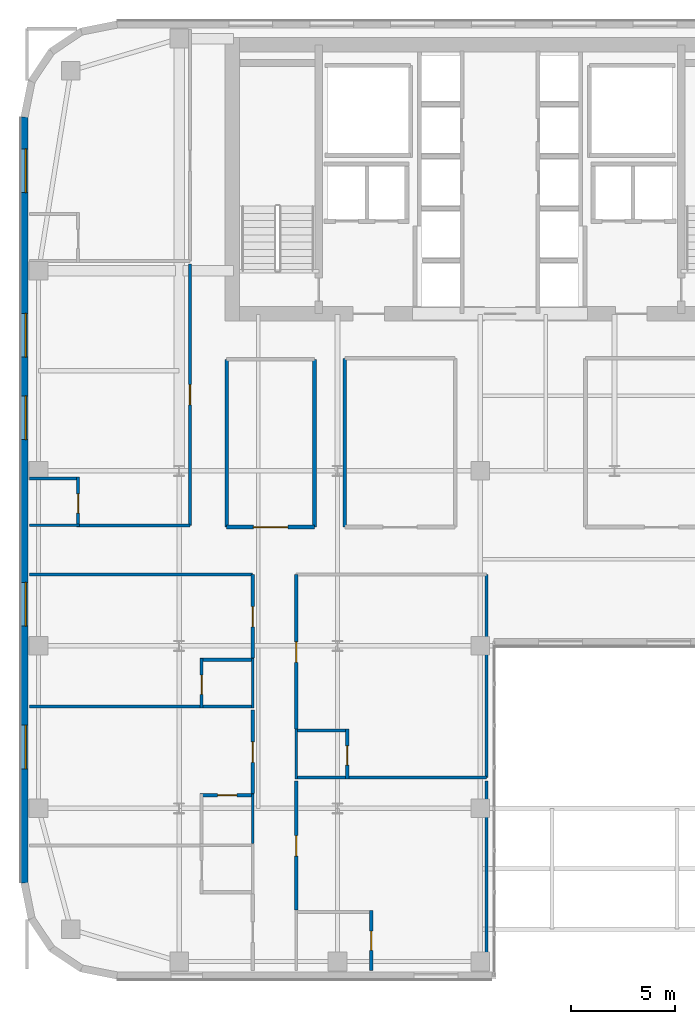
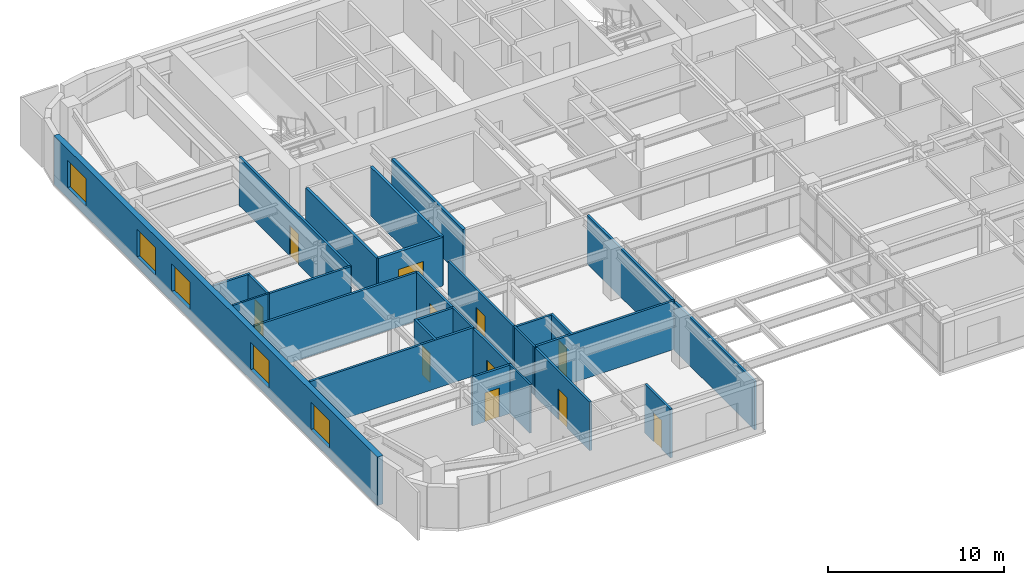
# One storey, part 14 of 24: 28 walls, 11 doors, 5 windows, 16 openings.
"""IFC4 building model written with IfcOpenShell, lengths in metres."""

from ifc_helpers import new_model, si_unit, direction, frame, frame_2d, origin, place, context, subcontext, project, spatial, rectangle, extrude, source, transform, mapped, material, layer, layer_set, type_object, type_shapes, element, fill, save


model = new_model("IFC4")

# Units and contexts
model_context = context("Model", 3, precision=1e-05, world=origin(), true_north=direction((0.0, 1.0)))
body_context = subcontext(model_context, "Body", "Model", "MODEL_VIEW")
ifc_project = project(units=[si_unit("LENGTHUNIT", "METRE"), si_unit("AREAUNIT", "SQUARE_METRE"), si_unit("VOLUMEUNIT", "CUBIC_METRE"), si_unit("PLANEANGLEUNIT", "RADIAN"), si_unit("MASSUNIT", "GRAM", prefix="KILO")], contexts=[model_context])

# Site, building, storey
site_placement = place(None, origin())
site = spatial("IfcSite", under=ifc_project, at=site_placement, CompositionType="ELEMENT")
building_placement = place(site_placement, origin())
building = spatial("IfcBuilding", under=site, at=building_placement, Name="Tolvann Quenvar Hotel", CompositionType="ELEMENT")
storey_placement = place(building_placement, frame((0.0, 0.0, 118.64990234375)))
storey = spatial("IfcBuildingStorey", under=building, at=storey_placement, Name="L30", CompositionType="ELEMENT", Elevation=118.64990234375)

# Wall, openings, windows
ifc_material_1 = material(Name="Kiln-fired red and buff architectural clay brickwork and terracotta masonry", Category="masonry")
ifc_layer_1 = layer(ifc_material_1, 0.35009765625)
ifc_layer_set_1 = layer_set([ifc_layer_1], Name="Kiln-fired red and buff architectural clay brickwork and terracotta masonry")
wall_type_1 = type_object("IfcWallType", Name="WALL_EXT_BRICK_350", PredefinedType="SOLIDWALL", material=ifc_layer_set_1)
wall_1_placement = place(storey_placement, frame((0.175048828125, 41.3828125, 0.0), z_axis=(0.0, 0.0, 1.0), x_axis=(0.0, -1.0, 0.0)))
wall_1 = element("IfcWall", 1, at=wall_1_placement, inside=storey, type_object=wall_type_1, Name="Exterior Chicago Brick Wall L30-E23", PredefinedType="SOLIDWALL", context=body_context, shape_type="SweptSolid", body=[
    extrude(rectangle(XDim=36.765625, YDim=0.35009765625, at=frame_2d((18.3828125, 0.0))), origin(), (0.0, 0.0, 1.0), 3.3701171875),
])
opening_1_placement = place(wall_1_placement, frame((1.52587890625, 0.0, 0.679931640625)))
opening_1 = element("IfcOpeningElement", 2, at=opening_1_placement, cuts=wall_1, Name="Opening W-02", PredefinedType="OPENING", context=body_context, shape_type="SweptSolid", body=[
    extrude(rectangle(XDim=2.10009765625, YDim=1.89990234375, at=frame_2d((1.050048828125, 0.949951171875))), frame((0.0, 0.18505859375, 0.0), z_axis=(0.0, -1.0, 0.0), x_axis=(1.0, 0.0, 0.0)), (0.0, 0.0, 1.0), 0.3701171875),
])
opening_2_placement = place(wall_1_placement, frame((9.428955078125, 0.0, 0.679931640625)))
opening_2 = element("IfcOpeningElement", 3, at=opening_2_placement, cuts=wall_1, Name="Opening W-02", PredefinedType="OPENING", context=body_context, shape_type="SweptSolid", body=[
    extrude(rectangle(XDim=2.10009765625, YDim=1.89990234375, at=frame_2d((1.050048828125, 0.949951171875))), frame((0.0, 0.18505859375, 0.0), z_axis=(0.0, -1.0, 0.0), x_axis=(1.0, 0.0, 0.0)), (0.0, 0.0, 1.0), 0.3701171875),
])
opening_3_placement = place(wall_1_placement, frame((13.381103515625, 0.0, 0.679931640625)))
opening_3 = element("IfcOpeningElement", 4, at=opening_3_placement, cuts=wall_1, Name="Opening W-02", PredefinedType="OPENING", context=body_context, shape_type="SweptSolid", body=[
    extrude(rectangle(XDim=2.10009765625, YDim=1.89990234375, at=frame_2d((1.050048828125, 0.949951171875))), frame((0.0, 0.18505859375, 0.0), z_axis=(0.0, -1.0, 0.0), x_axis=(1.0, 0.0, 0.0)), (0.0, 0.0, 1.0), 0.3701171875),
])
opening_4_placement = place(wall_1_placement, frame((22.3349609375, 0.0, 0.679931640625)))
opening_4 = element("IfcOpeningElement", 5, at=opening_4_placement, cuts=wall_1, Name="Opening W-02", PredefinedType="OPENING", context=body_context, shape_type="SweptSolid", body=[
    extrude(rectangle(XDim=2.10009765625, YDim=1.89990234375, at=frame_2d((1.050048828125, 0.949951171875))), frame((0.0, 0.18505859375, 0.0), z_axis=(0.0, -1.0, 0.0), x_axis=(1.0, 0.0, 0.0)), (0.0, 0.0, 1.0), 0.3701171875),
])
opening_5_placement = place(wall_1_placement, frame((29.18798828125, 0.0, 0.679931640625)))
opening_5 = element("IfcOpeningElement", 6, at=opening_5_placement, cuts=wall_1, Name="Opening W-02", PredefinedType="OPENING", context=body_context, shape_type="SweptSolid", body=[
    extrude(rectangle(XDim=2.10009765625, YDim=1.89990234375, at=frame_2d((1.050048828125, 0.949951171875))), frame((0.0, 0.18505859375, 0.0), z_axis=(0.0, -1.0, 0.0), x_axis=(1.0, 0.0, 0.0)), (0.0, 0.0, 1.0), 0.3701171875),
])
ifc_material_2 = material(Name="Thermally broken bronze-anodised aluminium frame with double low-E glazing", Category="aluminium")
window_type = type_object("IfcWindowType", Name="WIN_CHI_2100x2050", PartitioningType="TRIPLE_PANEL_HORIZONTAL", PredefinedType="WINDOW", material=ifc_material_2)
shared_shape_1 = source(origin(), body_context, "Body", "SweptSolid", [
    extrude(rectangle(XDim=2.10009765625, YDim=1.89990234375, at=frame_2d((1.050048828125, 0.949951171875))), frame((0.0, 0.090087890625, 0.0), z_axis=(0.0, -1.0, 0.0), x_axis=(1.0, 0.0, 0.0)), (0.0, 0.0, 1.0), 0.06005859375),
])
type_shapes(window_type, [shared_shape_1])
window_1_placement = place(opening_1_placement, origin())
window_1 = element("IfcWindow", 7, at=window_1_placement, inside=storey, type_object=window_type, Name="Chicago Window W-02 (EW-L30-E23-W01)", OverallHeight=1.89990234375, OverallWidth=2.10009765625, PartitioningType="TRIPLE_PANEL_HORIZONTAL", PredefinedType="WINDOW", context=body_context, shape_type="MappedRepresentation", body=[
    mapped(shared_shape_1, transform((0.0, 0.0, 0.0), x_axis=(1.0, 0.0, 0.0), y_axis=(0.0, 1.0, 0.0), z_axis=(0.0, 0.0, 1.0), scale=1.0)),
])
fill(opening_1, window_1)
window_2_placement = place(opening_2_placement, origin())
window_2 = element("IfcWindow", 8, at=window_2_placement, inside=storey, type_object=window_type, Name="Chicago Window W-02 (EW-L30-E23-W02)", OverallHeight=1.89990234375, OverallWidth=2.10009765625, PartitioningType="TRIPLE_PANEL_HORIZONTAL", PredefinedType="WINDOW", context=body_context, shape_type="MappedRepresentation", body=[
    mapped(shared_shape_1, transform((0.0, 0.0, 0.0), x_axis=(1.0, 0.0, 0.0), y_axis=(0.0, 1.0, 0.0), z_axis=(0.0, 0.0, 1.0), scale=1.0)),
])
fill(opening_2, window_2)
window_3_placement = place(opening_3_placement, origin())
window_3 = element("IfcWindow", 9, at=window_3_placement, inside=storey, type_object=window_type, Name="Chicago Window W-02 (EW-L30-E23-W03)", OverallHeight=1.89990234375, OverallWidth=2.10009765625, PartitioningType="TRIPLE_PANEL_HORIZONTAL", PredefinedType="WINDOW", context=body_context, shape_type="MappedRepresentation", body=[
    mapped(shared_shape_1, transform((0.0, 0.0, 0.0), x_axis=(1.0, 0.0, 0.0), y_axis=(0.0, 1.0, 0.0), z_axis=(0.0, 0.0, 1.0), scale=1.0)),
])
fill(opening_3, window_3)
window_4_placement = place(opening_4_placement, origin())
window_4 = element("IfcWindow", 10, at=window_4_placement, inside=storey, type_object=window_type, Name="Chicago Window W-02 (EW-L30-E23-W04)", OverallHeight=1.89990234375, OverallWidth=2.10009765625, PartitioningType="TRIPLE_PANEL_HORIZONTAL", PredefinedType="WINDOW", context=body_context, shape_type="MappedRepresentation", body=[
    mapped(shared_shape_1, transform((0.0, 0.0, 0.0), x_axis=(1.0, 0.0, 0.0), y_axis=(0.0, 1.0, 0.0), z_axis=(0.0, 0.0, 1.0), scale=1.0)),
])
fill(opening_4, window_4)
window_5_placement = place(opening_5_placement, origin())
window_5 = element("IfcWindow", 11, at=window_5_placement, inside=storey, type_object=window_type, Name="Chicago Window W-02 (EW-L30-E23-W05)", OverallHeight=1.89990234375, OverallWidth=2.10009765625, PartitioningType="TRIPLE_PANEL_HORIZONTAL", PredefinedType="WINDOW", context=body_context, shape_type="MappedRepresentation", body=[
    mapped(shared_shape_1, transform((0.0, 0.0, 0.0), x_axis=(1.0, 0.0, 0.0), y_axis=(0.0, 1.0, 0.0), z_axis=(0.0, 0.0, 1.0), scale=1.0)),
])
fill(opening_5, window_5)

# Wall, opening, door
ifc_material_3 = material(Name="Acoustic twin-stud fire-rated gypsum plasterboard partition")
ifc_layer_2 = layer(ifc_material_3, 0.179931640625)
ifc_layer_set_2 = layer_set([ifc_layer_2], Name="Acoustic twin-stud fire-rated gypsum plasterboard partition")
wall_type_2 = type_object("IfcWallType", Name="WALL_PART_ACOUSTIC_180", PredefinedType="PARTITIONING", material=ifc_layer_set_2)
wall_2_placement = place(storey_placement, frame((9.8798828125, 21.699951171875, 0.0), z_axis=(0.0, 0.0, 1.0), x_axis=(1.0, 0.0, 0.0)))
wall_2 = element("IfcWall", 12, at=wall_2_placement, inside=storey, type_object=wall_type_2, Name="Interior Partition PT-SPC-L30-MSP-W-S", PredefinedType="PARTITIONING", context=body_context, shape_type="SweptSolid", body=[
    extrude(rectangle(XDim=4.22021484375, YDim=0.179931640625, at=frame_2d((2.110107421875, 0.0))), origin(), (0.0, 0.0, 1.0), 3.3701171875),
])
opening_6_placement = place(wall_2_placement, frame((1.284912109375, 0.0, 0.0)))
opening_6 = element("IfcOpeningElement", 13, at=opening_6_placement, cuts=wall_2, Name="Opening AD-01", PredefinedType="OPENING", context=body_context, shape_type="SweptSolid", body=[
    extrude(rectangle(XDim=1.64990234375, YDim=2.14990234375, at=frame_2d((0.824951171875, 1.074951171875))), frame((0.0, 0.10009765625, 0.0), z_axis=(0.0, -1.0, 0.0), x_axis=(1.0, 0.0, 0.0)), (0.0, 0.0, 1.0), 0.199951171875),
])
ifc_material_4 = material(Name="Solid-core American oak acoustic fire door leaf in steel frame", Category="steel")
door_type_1 = type_object("IfcDoorType", Name="DOOR_SALON_1650", OperationType="NOTDEFINED", PredefinedType="DOOR", material=ifc_material_4)
shared_shape_2 = source(origin(), body_context, "Body", "SweptSolid", [
    extrude(rectangle(XDim=1.64990234375, YDim=2.14990234375, at=frame_2d((0.824951171875, 1.074951171875))), frame((0.0, 0.02490234375, 0.0), z_axis=(0.0, -1.0, 0.0), x_axis=(1.0, 0.0, 0.0)), (0.0, 0.0, 1.0), 0.050048828125),
])
type_shapes(door_type_1, [shared_shape_2])
door_1_placement = place(opening_6_placement, origin())
door_1 = element("IfcDoor", 14, at=door_1_placement, inside=storey, type_object=door_type_1, Name="Interior Door DOOR-SPC-L30-MSP-W", OperationType="DOUBLE_DOOR_SINGLE_SWING", OverallHeight=2.14990234375, OverallWidth=1.64990234375, PredefinedType="DOOR", context=body_context, shape_type="MappedRepresentation", body=[
    mapped(shared_shape_2, transform((0.0, 0.0, 0.0), x_axis=(1.0, 0.0, 0.0), y_axis=(0.0, 1.0, 0.0), z_axis=(0.0, 0.0, 1.0), scale=1.0)),
])
fill(opening_6, door_1)

# Walls
for number, where, z_axis, x_axis, name in (
    (15, (9.8798828125, 21.699951171875, 0.0), (0.0, 0.0, 1.0), (0.0, 1.0, 0.0), "Interior Partition PT-SPC-L30-MSP-W-W"),
    (16, (14.10009765625, 21.699951171875, 0.0), (0.0, 0.0, 1.0), (0.0, 1.0, 0.0), "Interior Partition PT-SPC-L30-MSP-W-E"),
):
    element("IfcWall", number, at=place(storey_placement, frame(where, z_axis=z_axis, x_axis=x_axis)), inside=storey, type_object=wall_type_2, Name=name, PredefinedType="PARTITIONING", context=body_context, shape_type="SweptSolid", body=[
        extrude(rectangle(XDim=8.050048828125, YDim=0.179931640625, at=frame_2d((4.02490234375, 0.0))), origin(), (0.0, 0.0, 1.0), 3.3701171875),
    ])
wall_3_placement = place(storey_placement, frame((15.550048828125, 21.699951171875, 0.0), z_axis=(0.0, 0.0, 1.0), x_axis=(0.0, 1.0, 0.0)))
element("IfcWall", 17, at=wall_3_placement, inside=storey, type_object=wall_type_2, Name="Interior Partition PT-SPC-L30-MSP-N-W", PredefinedType="PARTITIONING", context=body_context, shape_type="SweptSolid", body=[
    extrude(rectangle(XDim=8.10009765625, YDim=0.179931640625, at=frame_2d((4.050048828125, 0.0))), origin(), (0.0, 0.0, 1.0), 3.3701171875),
])
ifc_material_5 = material(Name="Moisture-resistant acoustic plumbing wall assembly")
ifc_layer_3 = layer(ifc_material_5, 0.1201171875)
ifc_layer_set_3 = layer_set([ifc_layer_3], Name="Moisture-resistant acoustic plumbing wall assembly")
wall_type_3 = type_object("IfcWallType", Name="WALL_PART_BATH_120", PredefinedType="PLUMBINGWALL", material=ifc_layer_set_3)
for number, where, z_axis, x_axis, name in (
    (18, (11.1298828125, 6.510009765625, 0.0), (0.0, 0.0, 1.0), (0.0, 1.0, 0.0), "Non-Rated Plumbing Partition PT-SPC-L30-ENS-WO02-E"),
    (19, (11.1298828125, 13.010009765625, 0.0), (0.0, 0.0, 1.0), (0.0, 1.0, 0.0), "Non-Rated Plumbing Partition PT-SPC-L30-ENS-WO03-E"),
    (20, (13.219970703125, 9.610107421875, 0.0), (0.0, 0.0, 1.0), (0.0, 1.0, 0.0), "Non-Rated Plumbing Partition PT-SPC-L30-ENS-WI02-W"),
):
    element("IfcWall", number, at=place(storey_placement, frame(where, z_axis=z_axis, x_axis=x_axis)), inside=storey, type_object=wall_type_3, Name=name, PredefinedType="PLUMBINGWALL", context=body_context, shape_type="SweptSolid", body=[
        extrude(rectangle(XDim=2.389892578125, YDim=0.1201171875, at=frame_2d((1.19482421875, 0.0))), origin(), (0.0, 0.0, 1.0), 3.3701171875),
    ])
wall_4_placement = place(storey_placement, frame((0.405029296875, 21.780029296875, 0.0), z_axis=(0.0, 0.0, 1.0), x_axis=(1.0, 0.0, 0.0)))
element("IfcWall", 21, at=wall_4_placement, inside=storey, type_object=wall_type_3, Name="Non-Rated Plumbing Partition PT-SPC-L30-ENS-NW01-S", PredefinedType="PLUMBINGWALL", context=body_context, shape_type="SweptSolid", body=[
    extrude(rectangle(XDim=2.4150390625, YDim=0.1201171875, at=frame_2d((1.20751953125, 0.0))), origin(), (0.0, 0.0, 1.0), 3.3701171875),
])

# Wall, opening, door
ifc_layer_4 = layer(ifc_material_3, 0.14990234375)
ifc_layer_set_4 = layer_set([ifc_layer_4], Name="Acoustic twin-stud fire-rated gypsum plasterboard partition")
wall_type_4 = type_object("IfcWallType", Name="WALL_PART_SUITE_150", PredefinedType="PARTITIONING", material=ifc_layer_set_4)
wall_5_placement = place(storey_placement, frame((8.610107421875, 8.830078125, 0.0), z_axis=(0.0, 0.0, 1.0), x_axis=(1.0, 0.0, 0.0)))
wall_5 = element("IfcWall", 22, at=wall_5_placement, inside=storey, type_object=wall_type_4, Name="Interior Partition PT-SPC-L30-ENS-WO02-N", PredefinedType="PARTITIONING", context=body_context, shape_type="SweptSolid", body=[
    extrude(rectangle(XDim=2.58984375, YDim=0.14990234375, at=frame_2d((1.294921875, 0.0))), origin(), (0.0, 0.0, 1.0), 3.3701171875),
])
opening_7_placement = place(wall_5_placement, frame((0.8349609375, 0.0, 0.0)))
opening_7 = element("IfcOpeningElement", 23, at=opening_7_placement, cuts=wall_5, Name="Opening WD-01", PredefinedType="OPENING", context=body_context, shape_type="SweptSolid", body=[
    extrude(rectangle(XDim=0.919921875, YDim=2.010009765625, at=frame_2d((0.4599609375, 1.0048828125))), frame((0.0, 0.0849609375, 0.0), z_axis=(0.0, -1.0, 0.0), x_axis=(1.0, 0.0, 0.0)), (0.0, 0.0, 1.0), 0.169921875),
])
door_type_2 = type_object("IfcDoorType", Name="DOOR_WC_920", OperationType="NOTDEFINED", PredefinedType="DOOR", material=ifc_material_4)
shared_shape_3 = source(origin(), body_context, "Body", "SweptSolid", [
    extrude(rectangle(XDim=0.919921875, YDim=2.010009765625, at=frame_2d((0.4599609375, 1.0048828125))), frame((0.0, 0.02490234375, 0.0), z_axis=(0.0, -1.0, 0.0), x_axis=(1.0, 0.0, 0.0)), (0.0, 0.0, 1.0), 0.050048828125),
])
type_shapes(door_type_2, [shared_shape_3])
door_2_placement = place(opening_7_placement, origin())
door_2 = element("IfcDoor", 24, at=door_2_placement, inside=storey, type_object=door_type_2, Name="Interior Door DOOR-SPC-L30-ENS-WO02", OperationType="SINGLE_SWING_LEFT", OverallHeight=2.010009765625, OverallWidth=0.919921875, PredefinedType="DOOR", context=body_context, shape_type="MappedRepresentation", body=[
    mapped(shared_shape_3, transform((0.0, 0.0, 0.0), x_axis=(1.0, 0.0, 0.0), y_axis=(0.0, 1.0, 0.0), z_axis=(0.0, 0.0, 1.0), scale=1.0)),
])
fill(opening_7, door_2)

wall_6_placement = place(storey_placement, frame((8.679931640625, 13.010009765625, 0.0), z_axis=(0.0, 0.0, 1.0), x_axis=(0.0, 1.0, 0.0)))
wall_6 = element("IfcWall", 25, at=wall_6_placement, inside=storey, type_object=wall_type_4, Name="Interior Partition PT-SPC-L30-ENS-WO03-ENT", PredefinedType="PARTITIONING", context=body_context, shape_type="SweptSolid", body=[
    extrude(rectangle(XDim=2.389892578125, YDim=0.14990234375, at=frame_2d((1.19482421875, 0.0))), origin(), (0.0, 0.0, 1.0), 3.3701171875),
])
opening_8_placement = place(wall_6_placement, frame((0.6650390625, 0.0, 0.0)))
opening_8 = element("IfcOpeningElement", 26, at=opening_8_placement, cuts=wall_6, Name="Opening WD-01", PredefinedType="OPENING", context=body_context, shape_type="SweptSolid", body=[
    extrude(rectangle(XDim=0.919921875, YDim=2.010009765625, at=frame_2d((0.4599609375, 1.0048828125))), frame((0.0, 0.0849609375, 0.0), z_axis=(0.0, -1.0, 0.0), x_axis=(1.0, 0.0, 0.0)), (0.0, 0.0, 1.0), 0.169921875),
])
door_3_placement = place(opening_8_placement, origin())
door_3 = element("IfcDoor", 27, at=door_3_placement, inside=storey, type_object=door_type_2, Name="Interior Door DOOR-SPC-L30-ENS-WO03", OperationType="SINGLE_SWING_RIGHT", OverallHeight=2.010009765625, OverallWidth=0.919921875, PredefinedType="DOOR", context=body_context, shape_type="MappedRepresentation", body=[
    mapped(shared_shape_3, transform((0.0, 0.0, 0.0), x_axis=(1.0, 0.0, 0.0), y_axis=(0.0, 1.0, 0.0), z_axis=(0.0, 0.0, 1.0), scale=1.0)),
])
fill(opening_8, door_3)

# Walls
wall_7_placement = place(storey_placement, frame((0.405029296875, 13.080078125, 0.0), z_axis=(0.0, 0.0, 1.0), x_axis=(1.0, 0.0, 0.0)))
element("IfcWall", 28, at=wall_7_placement, inside=storey, type_object=wall_type_4, Name="Interior Partition PT-SPC-L30-ENS-WO03-S", PredefinedType="PARTITIONING", context=body_context, shape_type="SweptSolid", body=[
    extrude(rectangle(XDim=10.794921875, YDim=0.14990234375, at=frame_2d((5.3974609375, 0.0))), origin(), (0.0, 0.0, 1.0), 3.3701171875),
])
wall_8_placement = place(storey_placement, frame((8.610107421875, 15.330078125, 0.0), z_axis=(0.0, 0.0, 1.0), x_axis=(1.0, 0.0, 0.0)))
element("IfcWall", 29, at=wall_8_placement, inside=storey, type_object=wall_type_4, Name="Interior Partition PT-SPC-L30-ENS-WO03-N", PredefinedType="PARTITIONING", context=body_context, shape_type="SweptSolid", body=[
    extrude(rectangle(XDim=2.58984375, YDim=0.14990234375, at=frame_2d((1.294921875, 0.0))), origin(), (0.0, 0.0, 1.0), 3.3701171875),
])

# Wall, opening, door
wall_9_placement = place(storey_placement, frame((16.820068359375, 0.405029296875, 0.0), z_axis=(0.0, 0.0, 1.0), x_axis=(0.0, 1.0, 0.0)))
wall_9 = element("IfcWall", 30, at=wall_9_placement, inside=storey, type_object=wall_type_4, Name="Interior Partition PT-SPC-L30-ENS-WI01-ENT", PredefinedType="PARTITIONING", context=body_context, shape_type="SweptSolid", body=[
    extrude(rectangle(XDim=2.89501953125, YDim=0.14990234375, at=frame_2d((1.447509765625, 0.0))), origin(), (0.0, 0.0, 1.0), 3.3701171875),
])
opening_9_placement = place(wall_9_placement, frame((0.97998046875, 0.0, 0.0)))
opening_9 = element("IfcOpeningElement", 31, at=opening_9_placement, cuts=wall_9, Name="Opening WD-01", PredefinedType="OPENING", context=body_context, shape_type="SweptSolid", body=[
    extrude(rectangle(XDim=0.919921875, YDim=2.010009765625, at=frame_2d((0.4599609375, 1.0048828125))), frame((0.0, 0.0849609375, 0.0), z_axis=(0.0, -1.0, 0.0), x_axis=(1.0, 0.0, 0.0)), (0.0, 0.0, 1.0), 0.169921875),
])
door_4_placement = place(opening_9_placement, origin())
door_4 = element("IfcDoor", 32, at=door_4_placement, inside=storey, type_object=door_type_2, Name="Interior Door DOOR-SPC-L30-ENS-WI01", OperationType="SINGLE_SWING_LEFT", OverallHeight=2.010009765625, OverallWidth=0.919921875, PredefinedType="DOOR", context=body_context, shape_type="MappedRepresentation", body=[
    mapped(shared_shape_3, transform((0.0, 0.0, 0.0), x_axis=(1.0, 0.0, 0.0), y_axis=(0.0, 1.0, 0.0), z_axis=(0.0, 0.0, 1.0), scale=1.0)),
])
fill(opening_9, door_4)

wall_10_placement = place(storey_placement, frame((15.669921875, 9.610107421875, 0.0), z_axis=(0.0, 0.0, 1.0), x_axis=(0.0, 1.0, 0.0)))
wall_10 = element("IfcWall", 33, at=wall_10_placement, inside=storey, type_object=wall_type_4, Name="Interior Partition PT-SPC-L30-ENS-WI02-ENT", PredefinedType="PARTITIONING", context=body_context, shape_type="SweptSolid", body=[
    extrude(rectangle(XDim=2.389892578125, YDim=0.14990234375, at=frame_2d((1.19482421875, 0.0))), origin(), (0.0, 0.0, 1.0), 3.3701171875),
])
opening_10_placement = place(wall_10_placement, frame((0.6650390625, 0.0, 0.0)))
opening_10 = element("IfcOpeningElement", 34, at=opening_10_placement, cuts=wall_10, Name="Opening WD-01", PredefinedType="OPENING", context=body_context, shape_type="SweptSolid", body=[
    extrude(rectangle(XDim=0.919921875, YDim=2.010009765625, at=frame_2d((0.4599609375, 1.0048828125))), frame((0.0, 0.0849609375, 0.0), z_axis=(0.0, -1.0, 0.0), x_axis=(1.0, 0.0, 0.0)), (0.0, 0.0, 1.0), 0.169921875),
])
door_5_placement = place(opening_10_placement, origin())
door_5 = element("IfcDoor", 35, at=door_5_placement, inside=storey, type_object=door_type_2, Name="Interior Door DOOR-SPC-L30-ENS-WI02", OperationType="SINGLE_SWING_RIGHT", OverallHeight=2.010009765625, OverallWidth=0.919921875, PredefinedType="DOOR", context=body_context, shape_type="MappedRepresentation", body=[
    mapped(shared_shape_3, transform((0.0, 0.0, 0.0), x_axis=(1.0, 0.0, 0.0), y_axis=(0.0, 1.0, 0.0), z_axis=(0.0, 0.0, 1.0), scale=1.0)),
])
fill(opening_10, door_5)

# Walls
wall_11_placement = place(storey_placement, frame((13.14990234375, 9.679931640625, 0.0), z_axis=(0.0, 0.0, 1.0), x_axis=(1.0, 0.0, 0.0)))
element("IfcWall", 36, at=wall_11_placement, inside=storey, type_object=wall_type_4, Name="Interior Partition PT-SPC-L30-ENS-WI02-S", PredefinedType="PARTITIONING", context=body_context, shape_type="SweptSolid", body=[
    extrude(rectangle(XDim=9.2001953125, YDim=0.14990234375, at=frame_2d((4.60009765625, 0.0))), origin(), (0.0, 0.0, 1.0), 3.3701171875),
])
wall_12_placement = place(storey_placement, frame((13.14990234375, 11.929931640625, 0.0), z_axis=(0.0, 0.0, 1.0), x_axis=(1.0, 0.0, 0.0)))
element("IfcWall", 37, at=wall_12_placement, inside=storey, type_object=wall_type_4, Name="Interior Partition PT-SPC-L30-ENS-WI02-N", PredefinedType="PARTITIONING", context=body_context, shape_type="SweptSolid", body=[
    extrude(rectangle(XDim=2.590087890625, YDim=0.14990234375, at=frame_2d((1.294921875, 0.0))), origin(), (0.0, 0.0, 1.0), 3.3701171875),
])

# Wall, opening, door
wall_13_placement = place(storey_placement, frame((2.75, 21.7099609375, 0.0), z_axis=(0.0, 0.0, 1.0), x_axis=(0.0, 1.0, 0.0)))
wall_13 = element("IfcWall", 38, at=wall_13_placement, inside=storey, type_object=wall_type_4, Name="Interior Partition PT-SPC-L30-ENS-NW01-ENT", PredefinedType="PARTITIONING", context=body_context, shape_type="SweptSolid", body=[
    extrude(rectangle(XDim=2.39013671875, YDim=0.14990234375, at=frame_2d((1.195068359375, 0.0))), origin(), (0.0, 0.0, 1.0), 3.3701171875),
])
opening_11_placement = place(wall_13_placement, frame((0.6650390625, 0.0, 0.0)))
opening_11 = element("IfcOpeningElement", 39, at=opening_11_placement, cuts=wall_13, Name="Opening WD-01", PredefinedType="OPENING", context=body_context, shape_type="SweptSolid", body=[
    extrude(rectangle(XDim=0.919921875, YDim=2.010009765625, at=frame_2d((0.4599609375, 1.0048828125))), frame((0.0, 0.0849609375, 0.0), z_axis=(0.0, -1.0, 0.0), x_axis=(1.0, 0.0, 0.0)), (0.0, 0.0, 1.0), 0.169921875),
])
door_6_placement = place(opening_11_placement, origin())
door_6 = element("IfcDoor", 40, at=door_6_placement, inside=storey, type_object=door_type_2, Name="Interior Door DOOR-SPC-L30-ENS-NW01", OperationType="SINGLE_SWING_LEFT", OverallHeight=2.010009765625, OverallWidth=0.919921875, PredefinedType="DOOR", context=body_context, shape_type="MappedRepresentation", body=[
    mapped(shared_shape_3, transform((0.0, 0.0, 0.0), x_axis=(1.0, 0.0, 0.0), y_axis=(0.0, 1.0, 0.0), z_axis=(0.0, 0.0, 1.0), scale=1.0)),
])
fill(opening_11, door_6)

# Wall
wall_14_placement = place(storey_placement, frame((0.405029296875, 24.030029296875, 0.0), z_axis=(0.0, 0.0, 1.0), x_axis=(1.0, 0.0, 0.0)))
element("IfcWall", 41, at=wall_14_placement, inside=storey, type_object=wall_type_4, Name="Interior Partition PT-SPC-L30-ENS-NW01-N", PredefinedType="PARTITIONING", context=body_context, shape_type="SweptSolid", body=[
    extrude(rectangle(XDim=2.4150390625, YDim=0.14990234375, at=frame_2d((1.20751953125, 0.0))), origin(), (0.0, 0.0, 1.0), 3.3701171875),
])

# Wall, opening, door
wall_15_placement = place(storey_placement, frame((11.1298828125, 8.909912109375, 0.0), z_axis=(0.0, 0.0, 1.0), x_axis=(0.0, 1.0, 0.0)))
wall_15 = element("IfcWall", 42, at=wall_15_placement, inside=storey, type_object=wall_type_4, Name="Interior Partition PT-SPC-L30-RM-WO02-ENT", PredefinedType="PARTITIONING", context=body_context, shape_type="SweptSolid", body=[
    extrude(rectangle(XDim=4.010009765625, YDim=0.14990234375, at=frame_2d((2.0048828125, 0.0))), origin(), (0.0, 0.0, 1.0), 3.3701171875),
])
opening_12_placement = place(wall_15_placement, frame((1.4951171875, 0.0, 0.0)))
opening_12 = element("IfcOpeningElement", 43, at=opening_12_placement, cuts=wall_15, Name="Opening SD-01", PredefinedType="OPENING", context=body_context, shape_type="SweptSolid", body=[
    extrude(rectangle(XDim=0.97998046875, YDim=2.1201171875, at=frame_2d((0.489990234375, 1.06005859375))), frame((0.0, 0.0849609375, 0.0), z_axis=(0.0, -1.0, 0.0), x_axis=(1.0, 0.0, 0.0)), (0.0, 0.0, 1.0), 0.169921875),
])
door_type_3 = type_object("IfcDoorType", Name="DOOR_SUITE_980", OperationType="NOTDEFINED", PredefinedType="DOOR", material=ifc_material_4)
shared_shape_4 = source(origin(), body_context, "Body", "SweptSolid", [
    extrude(rectangle(XDim=0.97998046875, YDim=2.1201171875, at=frame_2d((0.489990234375, 1.06005859375))), frame((0.0, 0.02490234375, 0.0), z_axis=(0.0, -1.0, 0.0), x_axis=(1.0, 0.0, 0.0)), (0.0, 0.0, 1.0), 0.050048828125),
])
type_shapes(door_type_3, [shared_shape_4])
door_7_placement = place(opening_12_placement, origin())
door_7 = element("IfcDoor", 44, at=door_7_placement, inside=storey, type_object=door_type_3, Name="Interior Door DOOR-SPC-L30-RM-WO02", OperationType="SINGLE_SWING_LEFT", OverallHeight=2.1201171875, OverallWidth=0.97998046875, PredefinedType="DOOR", context=body_context, shape_type="MappedRepresentation", body=[
    mapped(shared_shape_4, transform((0.0, 0.0, 0.0), x_axis=(1.0, 0.0, 0.0), y_axis=(0.0, 1.0, 0.0), z_axis=(0.0, 0.0, 1.0), scale=1.0)),
])
fill(opening_12, door_7)

wall_16_placement = place(storey_placement, frame((11.1298828125, 15.409912109375, 0.0), z_axis=(0.0, 0.0, 1.0), x_axis=(0.0, 1.0, 0.0)))
wall_16 = element("IfcWall", 45, at=wall_16_placement, inside=storey, type_object=wall_type_4, Name="Interior Partition PT-SPC-L30-RM-WO03-ENT", PredefinedType="PARTITIONING", context=body_context, shape_type="SweptSolid", body=[
    extrude(rectangle(XDim=4.010009765625, YDim=0.14990234375, at=frame_2d((2.0048828125, 0.0))), origin(), (0.0, 0.0, 1.0), 3.3701171875),
])
opening_13_placement = place(wall_16_placement, frame((1.4951171875, 0.0, 0.0)))
opening_13 = element("IfcOpeningElement", 46, at=opening_13_placement, cuts=wall_16, Name="Opening SD-01", PredefinedType="OPENING", context=body_context, shape_type="SweptSolid", body=[
    extrude(rectangle(XDim=0.97998046875, YDim=2.1201171875, at=frame_2d((0.489990234375, 1.06005859375))), frame((0.0, 0.0849609375, 0.0), z_axis=(0.0, -1.0, 0.0), x_axis=(1.0, 0.0, 0.0)), (0.0, 0.0, 1.0), 0.169921875),
])
door_8_placement = place(opening_13_placement, origin())
door_8 = element("IfcDoor", 47, at=door_8_placement, inside=storey, type_object=door_type_3, Name="Interior Door DOOR-SPC-L30-RM-WO03", OperationType="SINGLE_SWING_RIGHT", OverallHeight=2.1201171875, OverallWidth=0.97998046875, PredefinedType="DOOR", context=body_context, shape_type="MappedRepresentation", body=[
    mapped(shared_shape_4, transform((0.0, 0.0, 0.0), x_axis=(1.0, 0.0, 0.0), y_axis=(0.0, 1.0, 0.0), z_axis=(0.0, 0.0, 1.0), scale=1.0)),
])
fill(opening_13, door_8)

# Wall
wall_17_placement = place(storey_placement, frame((0.405029296875, 19.419921875, 0.0), z_axis=(0.0, 0.0, 1.0), x_axis=(1.0, 0.0, 0.0)))
element("IfcWall", 48, at=wall_17_placement, inside=storey, type_object=wall_type_4, Name="Interior Partition PT-SPC-L30-RM-WO03-E5", PredefinedType="PARTITIONING", context=body_context, shape_type="SweptSolid", body=[
    extrude(rectangle(XDim=10.724853515625, YDim=0.14990234375, at=frame_2d((5.3623046875, 0.0))), origin(), (0.0, 0.0, 1.0), 3.3701171875),
])

# Wall, opening, door
wall_18_placement = place(storey_placement, frame((13.219970703125, 3.31005859375, 0.0), z_axis=(0.0, 0.0, 1.0), x_axis=(0.0, 1.0, 0.0)))
wall_18 = element("IfcWall", 49, at=wall_18_placement, inside=storey, type_object=wall_type_4, Name="Interior Partition PT-SPC-L30-RM-WI01-ENT", PredefinedType="PARTITIONING", context=body_context, shape_type="SweptSolid", body=[
    extrude(rectangle(XDim=6.2099609375, YDim=0.14990234375, at=frame_2d((3.10498046875, 0.0))), origin(), (0.0, 0.0, 1.0), 3.3701171875),
])
opening_14_placement = place(wall_18_placement, frame((2.594970703125, 0.0, 0.0)))
opening_14 = element("IfcOpeningElement", 50, at=opening_14_placement, cuts=wall_18, Name="Opening SD-01", PredefinedType="OPENING", context=body_context, shape_type="SweptSolid", body=[
    extrude(rectangle(XDim=0.97998046875, YDim=2.1201171875, at=frame_2d((0.489990234375, 1.06005859375))), frame((0.0, 0.0849609375, 0.0), z_axis=(0.0, -1.0, 0.0), x_axis=(1.0, 0.0, 0.0)), (0.0, 0.0, 1.0), 0.169921875),
])
door_9_placement = place(opening_14_placement, origin())
door_9 = element("IfcDoor", 51, at=door_9_placement, inside=storey, type_object=door_type_3, Name="Interior Door DOOR-SPC-L30-RM-WI01", OperationType="SINGLE_SWING_LEFT", OverallHeight=2.1201171875, OverallWidth=0.97998046875, PredefinedType="DOOR", context=body_context, shape_type="MappedRepresentation", body=[
    mapped(shared_shape_4, transform((0.0, 0.0, 0.0), x_axis=(1.0, 0.0, 0.0), y_axis=(0.0, 1.0, 0.0), z_axis=(0.0, 0.0, 1.0), scale=1.0)),
])
fill(opening_14, door_9)

# Wall
wall_19_placement = place(storey_placement, frame((22.35009765625, 0.405029296875, 0.0), z_axis=(0.0, 0.0, 1.0), x_axis=(0.0, 1.0, 0.0)))
element("IfcWall", 52, at=wall_19_placement, inside=storey, type_object=wall_type_4, Name="Interior Partition PT-SPC-L30-RM-WI01-E4", PredefinedType="PARTITIONING", context=body_context, shape_type="SweptSolid", body=[
    extrude(rectangle(XDim=9.114990234375, YDim=0.14990234375, at=frame_2d((4.5576171875, 0.0))), origin(), (0.0, 0.0, 1.0), 3.3701171875),
])

# Wall, opening, door
wall_20_placement = place(storey_placement, frame((13.219970703125, 12.010009765625, 0.0), z_axis=(0.0, 0.0, 1.0), x_axis=(0.0, 1.0, 0.0)))
wall_20 = element("IfcWall", 53, at=wall_20_placement, inside=storey, type_object=wall_type_4, Name="Interior Partition PT-SPC-L30-RM-WI02-ENT", PredefinedType="PARTITIONING", context=body_context, shape_type="SweptSolid", body=[
    extrude(rectangle(XDim=7.409912109375, YDim=0.14990234375, at=frame_2d((3.705078125, 0.0))), origin(), (0.0, 0.0, 1.0), 3.3701171875),
])
opening_15_placement = place(wall_20_placement, frame((3.195068359375, 0.0, 0.0)))
opening_15 = element("IfcOpeningElement", 54, at=opening_15_placement, cuts=wall_20, Name="Opening SD-01", PredefinedType="OPENING", context=body_context, shape_type="SweptSolid", body=[
    extrude(rectangle(XDim=0.97998046875, YDim=2.1201171875, at=frame_2d((0.489990234375, 1.06005859375))), frame((0.0, 0.0849609375, 0.0), z_axis=(0.0, -1.0, 0.0), x_axis=(1.0, 0.0, 0.0)), (0.0, 0.0, 1.0), 0.169921875),
])
door_10_placement = place(opening_15_placement, origin())
door_10 = element("IfcDoor", 55, at=door_10_placement, inside=storey, type_object=door_type_3, Name="Interior Door DOOR-SPC-L30-RM-WI02", OperationType="SINGLE_SWING_RIGHT", OverallHeight=2.1201171875, OverallWidth=0.97998046875, PredefinedType="DOOR", context=body_context, shape_type="MappedRepresentation", body=[
    mapped(shared_shape_4, transform((0.0, 0.0, 0.0), x_axis=(1.0, 0.0, 0.0), y_axis=(0.0, 1.0, 0.0), z_axis=(0.0, 0.0, 1.0), scale=1.0)),
])
fill(opening_15, door_10)

# Wall
wall_21_placement = place(storey_placement, frame((22.35009765625, 9.679931640625, 0.0), z_axis=(0.0, 0.0, 1.0), x_axis=(0.0, 1.0, 0.0)))
element("IfcWall", 56, at=wall_21_placement, inside=storey, type_object=wall_type_4, Name="Interior Partition PT-SPC-L30-RM-WI02-E4", PredefinedType="PARTITIONING", context=body_context, shape_type="SweptSolid", body=[
    extrude(rectangle(XDim=9.739990234375, YDim=0.14990234375, at=frame_2d((4.8701171875, 0.0))), origin(), (0.0, 0.0, 1.0), 3.3701171875),
])

# Wall, opening, door
wall_22_placement = place(storey_placement, frame((8.1201171875, 21.780029296875, 0.0), z_axis=(0.0, 0.0, 1.0), x_axis=(0.0, 1.0, 0.0)))
wall_22 = element("IfcWall", 57, at=wall_22_placement, inside=storey, type_object=wall_type_4, Name="Interior Partition PT-SPC-L30-RM-NW01-ENT", PredefinedType="PARTITIONING", context=body_context, shape_type="SweptSolid", body=[
    extrude(rectangle(XDim=12.5400390625, YDim=0.14990234375, at=frame_2d((6.27001953125, 0.0))), origin(), (0.0, 0.0, 1.0), 3.3701171875),
])
opening_16_placement = place(wall_22_placement, frame((5.780029296875, 0.0, 0.0)))
opening_16 = element("IfcOpeningElement", 58, at=opening_16_placement, cuts=wall_22, Name="Opening SD-01", PredefinedType="OPENING", context=body_context, shape_type="SweptSolid", body=[
    extrude(rectangle(XDim=0.97998046875, YDim=2.1201171875, at=frame_2d((0.489990234375, 1.06005859375))), frame((0.0, 0.0849609375, 0.0), z_axis=(0.0, -1.0, 0.0), x_axis=(1.0, 0.0, 0.0)), (0.0, 0.0, 1.0), 0.169921875),
])
door_11_placement = place(opening_16_placement, origin())
door_11 = element("IfcDoor", 59, at=door_11_placement, inside=storey, type_object=door_type_3, Name="Interior Door DOOR-SPC-L30-RM-NW01", OperationType="SINGLE_SWING_LEFT", OverallHeight=2.1201171875, OverallWidth=0.97998046875, PredefinedType="DOOR", context=body_context, shape_type="MappedRepresentation", body=[
    mapped(shared_shape_4, transform((0.0, 0.0, 0.0), x_axis=(1.0, 0.0, 0.0), y_axis=(0.0, 1.0, 0.0), z_axis=(0.0, 0.0, 1.0), scale=1.0)),
])
fill(opening_16, door_11)

# Wall
wall_23_placement = place(storey_placement, frame((2.77001953125, 21.780029296875, 0.0), z_axis=(0.0, 0.0, 1.0), x_axis=(1.0, 0.0, 0.0)))
element("IfcWall", 60, at=wall_23_placement, inside=storey, type_object=wall_type_4, Name="Interior Partition PT-SPC-L30-RM-NW01-E3", PredefinedType="PARTITIONING", context=body_context, shape_type="SweptSolid", body=[
    extrude(rectangle(XDim=5.35009765625, YDim=0.14990234375, at=frame_2d((2.675048828125, 0.0))), origin(), (0.0, 0.0, 1.0), 3.3701171875),
])

save(model, "model.ifc")
